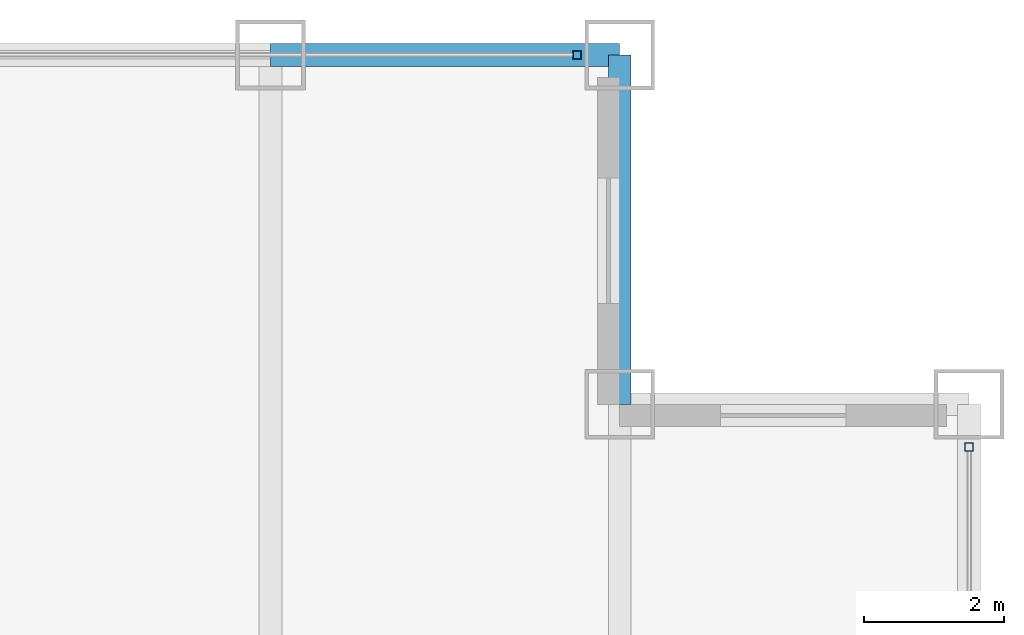
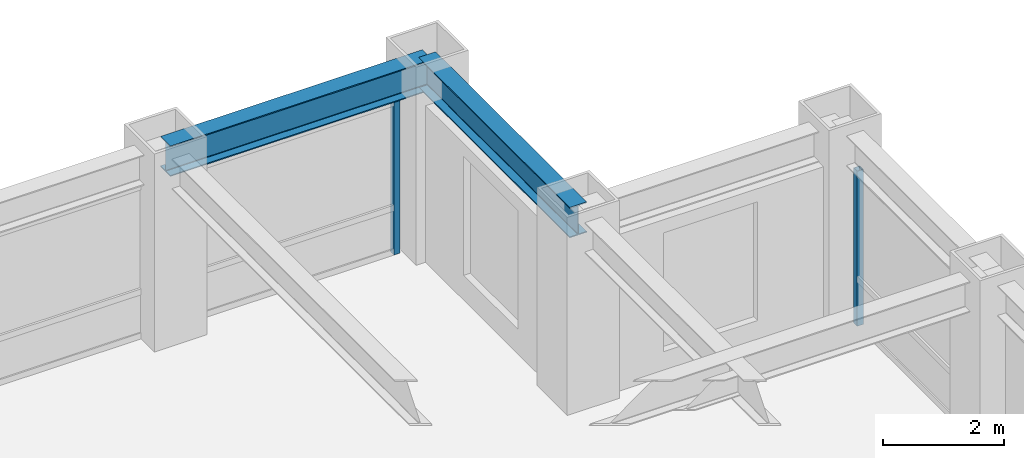
# One storey, part 18 of 24: 2 beams, 2 members, 2 elements without a shape of their own.
"""IFC4 building model written with IfcOpenShell, lengths in metres."""

from ifc_helpers import new_model, si_unit, direction, frame, origin, origin_2d, place, context, subcontext, project, spatial, hollow_rectangle, i_section, extrude, source, transform, mapped, material, material_profile, profile_set, type_object, element, aggregate, save


model = new_model("IFC4")

# Units and contexts
model_context = context("Model", 3, precision=1e-05, world=origin(), true_north=direction((0.0, 1.0)))
body_context = subcontext(model_context, "Body", "Model", "MODEL_VIEW")
ifc_project = project(units=[si_unit("LENGTHUNIT", "METRE"), si_unit("AREAUNIT", "SQUARE_METRE"), si_unit("VOLUMEUNIT", "CUBIC_METRE"), si_unit("PLANEANGLEUNIT", "RADIAN"), si_unit("MASSUNIT", "GRAM", prefix="KILO")], contexts=[model_context])

# Site, building, storey
site_placement = place(None, origin())
site = spatial("IfcSite", under=ifc_project, at=site_placement, CompositionType="ELEMENT")
building_placement = place(site_placement, origin())
building = spatial("IfcBuilding", under=site, at=building_placement, Name="Khorayat Bourse Tower", CompositionType="ELEMENT")
storey_placement = place(building_placement, frame((0.0, 0.0, 219.10009765625)))
storey = spatial("IfcBuildingStorey", under=building, at=storey_placement, Name="L51", CompositionType="ELEMENT", Elevation=219.10009765625)

# Beams
ifc_material_1 = material(Name="Steel ASTM A992 Grade 50", Category="steel")
ifc_material_profile_1 = material_profile(ifc_material_1, i_section(OverallWidth=0.324951171875, OverallDepth=0.615966796875, WebThickness=0.013916015625, FlangeThickness=0.021484375, FilletRadius=0.01611328125, at=origin_2d()), Name="W610X174")
ifc_profile_set_1 = profile_set([ifc_material_profile_1], Name="Steel ASTM A992 Grade 50")
beam_type = type_object("IfcBeamType", Name="BM-SPAN-610", PredefinedType="SPANDREL", material=ifc_profile_set_1)
shared_shape_1 = source(origin(), body_context, "Body", "SweptSolid", [
    extrude(i_section(OverallWidth=0.324951171875, OverallDepth=0.615966796875, WebThickness=0.013916015625, FlangeThickness=0.021484375, FilletRadius=0.01611328125, at=origin_2d()), origin(), (0.0, 0.0, 1.0), 5.0),
])
for number, where, z_axis, x_axis, name in (
    (1, (25.0, 25.0, 3.471923828125), (0.0, 1.0, 0.0), (-1.0, 0.0, 0.0), "L51 BM-SPAN-610 BM-L51-SPN-043"),
    (2, (20.0, 30.0, 3.471923828125), (1.0, 0.0, 0.0), (0.0, 1.0, 0.0), "L51 BM-SPAN-610 BM-L51-SPN-044"),
):
    element("IfcBeam", number, at=place(storey_placement, frame(where, z_axis=z_axis, x_axis=x_axis)), inside=storey, type_object=beam_type, Name=name, PredefinedType="SPANDREL", context=body_context, shape_type="MappedRepresentation", body=[
        mapped(shared_shape_1, transform((0.0, 0.0, 0.0), scale=1.0)),
    ])

# Curtain wall, member
ifc_material_2 = material(Name="Aluminium EN AW-6063 T6", Category="aluminium")
curtain_wall_type = type_object("IfcCurtainWallType", Name="CW-SYS-03", PredefinedType="NOTDEFINED", material=ifc_material_2)
curtain_wall_1_placement = place(storey_placement, origin())
curtain_wall_1 = element("IfcCurtainWall", 3, at=curtain_wall_1_placement, inside=storey, type_object=curtain_wall_type, Name="L51 Curtain Wall CW-L51-N1", PredefinedType="NOTDEFINED")
ifc_material_profile_2 = material_profile(ifc_material_2, hollow_rectangle(XDim=0.1201171875, YDim=0.1201171875, WallThickness=0.0048828125, at=origin_2d()), Name="ALU 120x120x5")
ifc_profile_set_2 = profile_set([ifc_material_profile_2], Name="Aluminium EN AW-6063 T6")
member_type = type_object("IfcMemberType", Name="CWM-VERT-120", PredefinedType="MULLION", material=ifc_profile_set_2)
shared_shape_2 = source(origin(), body_context, "Body", "SweptSolid", [
    extrude(hollow_rectangle(XDim=0.1201171875, YDim=0.1201171875, WallThickness=0.0048828125, at=origin_2d()), origin(), (0.0, 0.0, 1.0), 3.1298828125),
])
member_1_placement = place(storey_placement, frame((24.389892578125, 30.0, 0.0), z_axis=(0.0, 0.0, 1.0), x_axis=(0.0, 1.0, 0.0)))
member_1 = element("IfcMember", 4, at=member_1_placement, type_object=member_type, Name="CW-L51-N1 Vertical Mullion 3", PredefinedType="MULLION", context=body_context, shape_type="MappedRepresentation", body=[
    mapped(shared_shape_2, transform((0.0, 0.0, 0.0), scale=1.0)),
])
aggregate(curtain_wall_1, [member_1])

curtain_wall_2_placement = place(storey_placement, origin())
curtain_wall_2 = element("IfcCurtainWall", 5, at=curtain_wall_2_placement, inside=storey, type_object=curtain_wall_type, Name="L51 Curtain Wall CW-L51-E1", PredefinedType="NOTDEFINED")
member_2_placement = place(storey_placement, frame((30.0, 24.389892578125, 0.0), z_axis=(0.0, 0.0, 1.0), x_axis=(-1.0, 0.0, 0.0)))
member_2 = element("IfcMember", 6, at=member_2_placement, type_object=member_type, Name="CW-L51-E1 Vertical Mullion 3", PredefinedType="MULLION", context=body_context, shape_type="MappedRepresentation", body=[
    mapped(shared_shape_2, transform((0.0, 0.0, 0.0), scale=1.0)),
])
aggregate(curtain_wall_2, [member_2])

save(model, "model.ifc")
